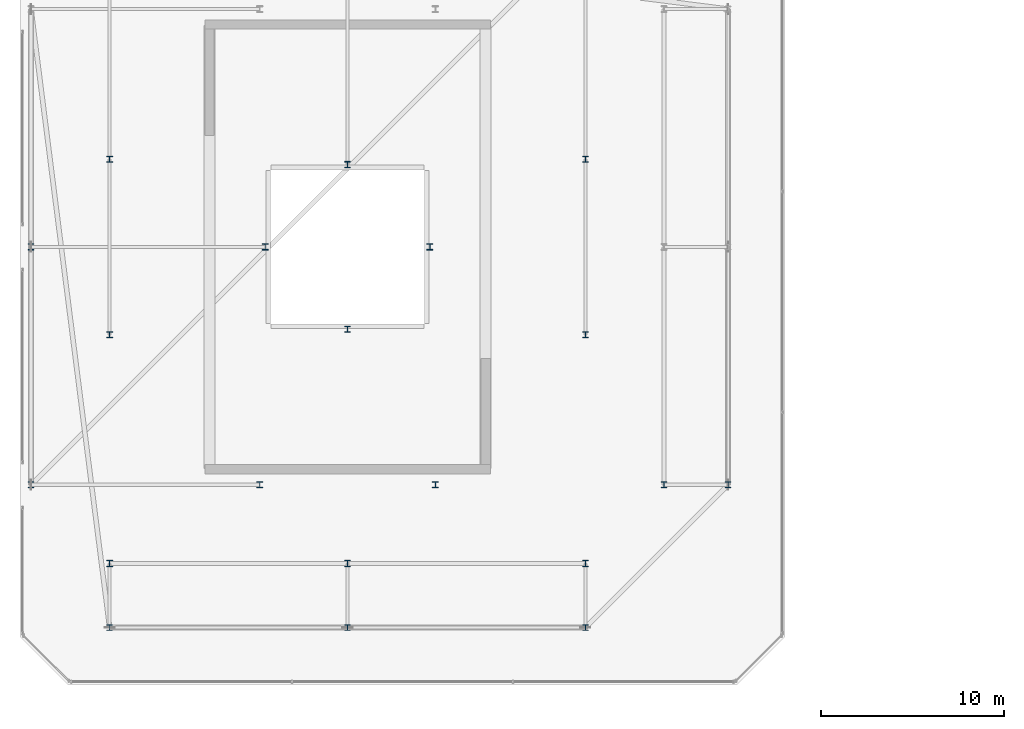
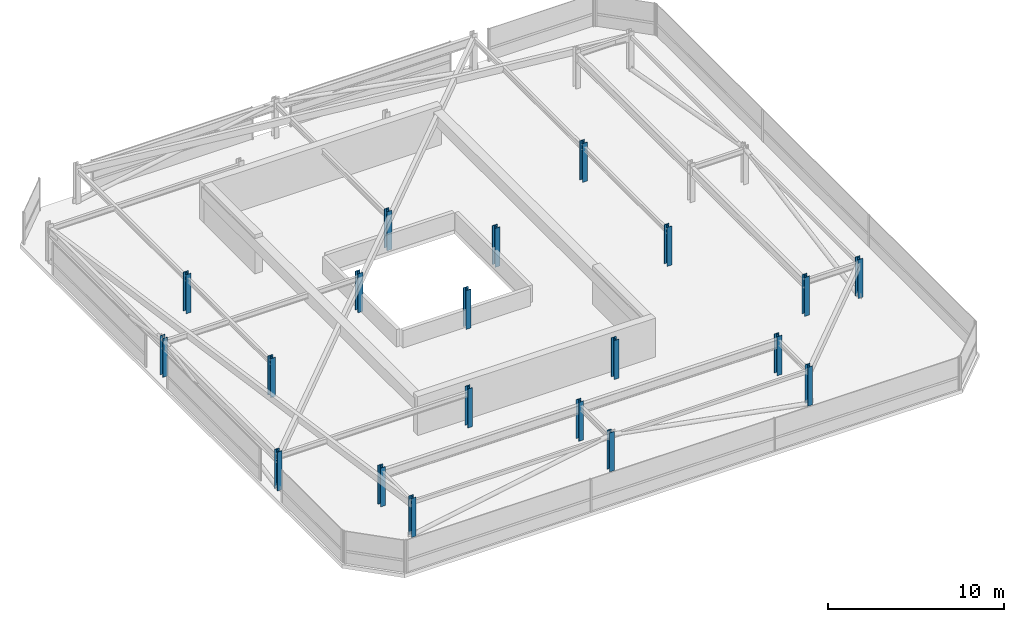
# One storey, part 1 of 42: 20 columns.
"""IFC4 building model written with IfcOpenShell, lengths in metres."""

from ifc_helpers import new_model, si_unit, direction, frame, origin, origin_2d, place, context, subcontext, project, spatial, i_section, extrude, material, material_profile, profile_set, type_object, element, save


model = new_model("IFC4")

# Units and contexts
model_context = context("Model", 3, precision=1e-05, world=origin(), true_north=direction((0.0, 1.0)))
body_context = subcontext(model_context, "Body", "Model", "MODEL_VIEW")
ifc_project = project(units=[si_unit("LENGTHUNIT", "METRE"), si_unit("AREAUNIT", "SQUARE_METRE"), si_unit("VOLUMEUNIT", "CUBIC_METRE"), si_unit("PLANEANGLEUNIT", "RADIAN"), si_unit("MASSUNIT", "GRAM", prefix="KILO")], contexts=[model_context])

# Site, building, storey
site_placement = place(None, origin())
site = spatial("IfcSite", under=ifc_project, at=site_placement, CompositionType="ELEMENT")
building_placement = place(site_placement, origin())
building = spatial("IfcBuilding", under=site, at=building_placement, Name="Thornwick Lancets Civic Towers", CompositionType="ELEMENT")
storey_placement = place(building_placement, frame((0.0, 0.0, 289.5)))
storey = spatial("IfcBuildingStorey", under=building, at=storey_placement, Name="C04", CompositionType="ELEMENT", Elevation=289.5)

# Columns
ifc_material = material(Name="Steel S355JR", Category="steel")
ifc_material_profile_1 = material_profile(ifc_material, i_section(OverallWidth=0.30908203125, OverallDepth=0.320556640625, WebThickness=0.013916015625, FlangeThickness=0.021728515625, FilletRadius=0.01513671875, at=origin_2d()), Name="UKC 305x305x137")
ifc_profile_set_1 = profile_set([ifc_material_profile_1], Name="Steel S355JR")
column_type_1 = type_object("IfcColumnType", Name="COL_UKC_137", PredefinedType="COLUMN", material=ifc_profile_set_1)
for number, where, z_axis, x_axis, name in (
    (1, (12.5, 6.199951171875, 0.0), (0.0, 0.0, 1.0), (1.0, 0.0, 0.0), "C04 Block Perimeter Column A01"),
    (2, (25.5, 6.199951171875, 0.0), (0.0, 0.0, 1.0), (1.0, 0.0, 0.0), "C04 Block Perimeter Column A02"),
    (3, (38.5, 6.199951171875, 0.0), (0.0, 0.0, 1.0), (1.0, 0.0, 0.0), "C04 Block Perimeter Column A03"),
    (4, (46.300048828125, 14.0, 0.0), (0.0, 0.0, 1.0), (1.0, 0.0, 0.0), "C04 Block Perimeter Column A04"),
):
    element("IfcColumn", number, at=place(storey_placement, frame(where, z_axis=z_axis, x_axis=x_axis)), inside=storey, type_object=column_type_1, Name=name, PredefinedType="COLUMN", context=body_context, shape_type="SweptSolid", body=[
        extrude(i_section(OverallWidth=0.30908203125, OverallDepth=0.320556640625, WebThickness=0.013916015625, FlangeThickness=0.021728515625, FilletRadius=0.01513671875, at=origin_2d()), origin(), (0.0, 0.0, 1.0), 2.699951171875),
    ])
ifc_material_profile_2 = material_profile(ifc_material, i_section(OverallWidth=0.314453125, OverallDepth=0.33984375, WebThickness=0.01904296875, FlangeThickness=0.031494140625, FilletRadius=0.01513671875, at=origin_2d()), Name="UKC 305x305x198")
ifc_profile_set_2 = profile_set([ifc_material_profile_2], Name="Steel S355JR")
column_type_2 = type_object("IfcColumnType", Name="COL_UKC_198", PredefinedType="COLUMN", material=ifc_profile_set_2)
for number, where, z_axis, x_axis, name in (
    (5, (12.5, 9.699951171875, 0.0), (0.0, 0.0, 1.0), (1.0, 0.0, 0.0), "C04 Spine Mega-Column A01"),
    (6, (25.5, 9.699951171875, 0.0), (0.0, 0.0, 1.0), (1.0, 0.0, 0.0), "C04 Spine Mega-Column A02"),
    (7, (38.5, 9.699951171875, 0.0), (0.0, 0.0, 1.0), (1.0, 0.0, 0.0), "C04 Spine Mega-Column A03"),
    (8, (42.800048828125, 14.0, 0.0), (0.0, 0.0, 1.0), (1.0, 0.0, 0.0), "C04 Spine Mega-Column A04"),
    (9, (8.199951171875, 14.0, 0.0), (0.0, 0.0, 1.0), (1.0, 0.0, 0.0), "C04 Spine Mega-Column A10"),
    (10, (8.199951171875, 27.0, 0.0), (0.0, 0.0, 1.0), (1.0, 0.0, 0.0), "C04 Spine Mega-Column A11"),
    (11, (12.5, 22.199951171875, 0.0), (0.0, 0.0, 1.0), (1.0, 0.0, 0.0), "C04 Spine Mega-Column A13"),
    (12, (38.5, 22.199951171875, 0.0), (0.0, 0.0, 1.0), (1.0, 0.0, 0.0), "C04 Spine Mega-Column A14"),
    (13, (12.5, 31.800048828125, 0.0), (0.0, 0.0, 1.0), (1.0, 0.0, 0.0), "C04 Spine Mega-Column A15"),
    (14, (38.5, 31.800048828125, 0.0), (0.0, 0.0, 1.0), (1.0, 0.0, 0.0), "C04 Spine Mega-Column A16"),
    (15, (20.699951171875, 14.0, 0.0), (0.0, 0.0, 1.0), (1.0, 0.0, 0.0), "C04 Spine Mega-Column A17"),
    (16, (30.300048828125, 14.0, 0.0), (0.0, 0.0, 1.0), (1.0, 0.0, 0.0), "C04 Spine Mega-Column A18"),
    (17, (25.5, 22.5, 0.0), (0.0, 0.0, 1.0), (1.0, 0.0, 0.0), "C04 Spine Mega-Column A21"),
    (18, (25.5, 31.5, 0.0), (0.0, 0.0, 1.0), (1.0, 0.0, 0.0), "C04 Spine Mega-Column A22"),
    (19, (21.0, 27.0, 0.0), (0.0, 0.0, 1.0), (1.0, 0.0, 0.0), "C04 Spine Mega-Column A23"),
    (20, (30.0, 27.0, 0.0), (0.0, 0.0, 1.0), (1.0, 0.0, 0.0), "C04 Spine Mega-Column A24"),
):
    element("IfcColumn", number, at=place(storey_placement, frame(where, z_axis=z_axis, x_axis=x_axis)), inside=storey, type_object=column_type_2, Name=name, PredefinedType="COLUMN", context=body_context, shape_type="SweptSolid", body=[
        extrude(i_section(OverallWidth=0.314453125, OverallDepth=0.33984375, WebThickness=0.01904296875, FlangeThickness=0.031494140625, FilletRadius=0.01513671875, at=origin_2d()), origin(), (0.0, 0.0, 1.0), 2.699951171875),
    ])

save(model, "model.ifc")
